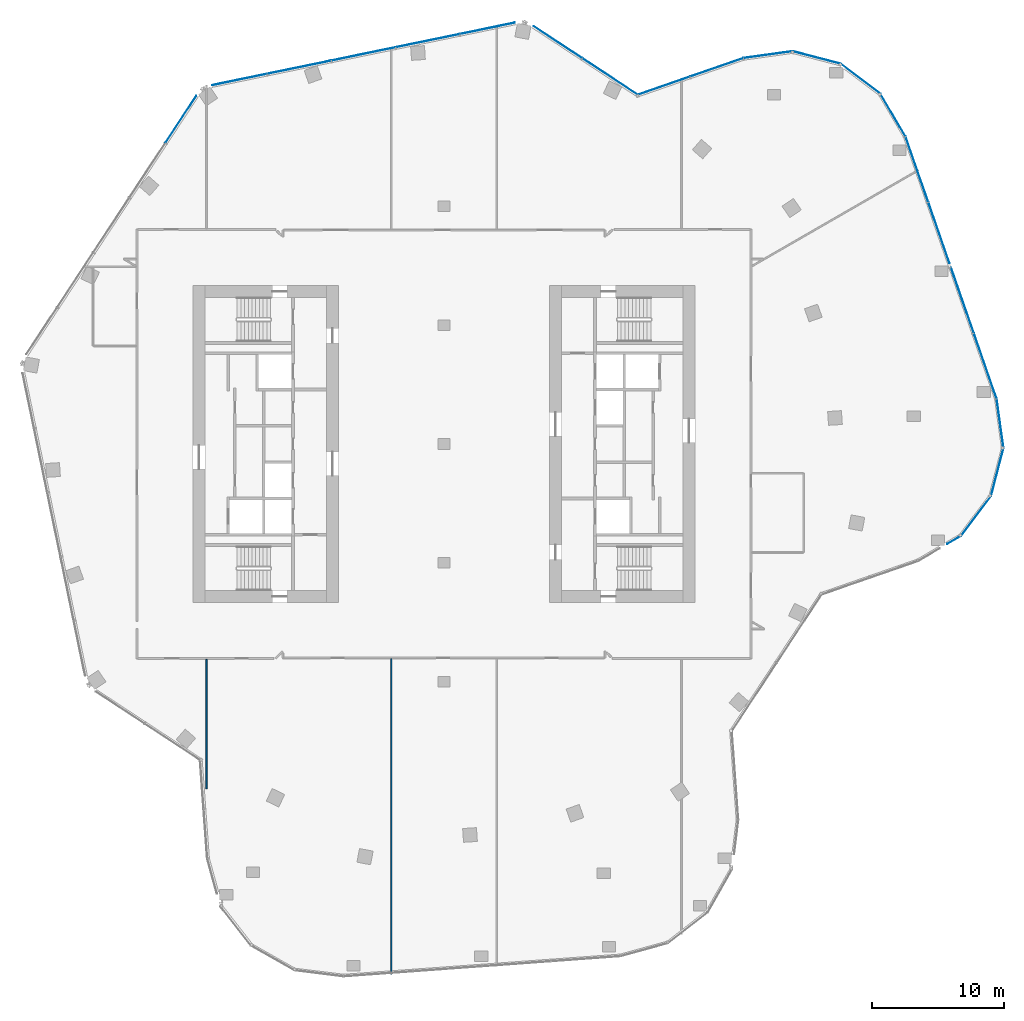
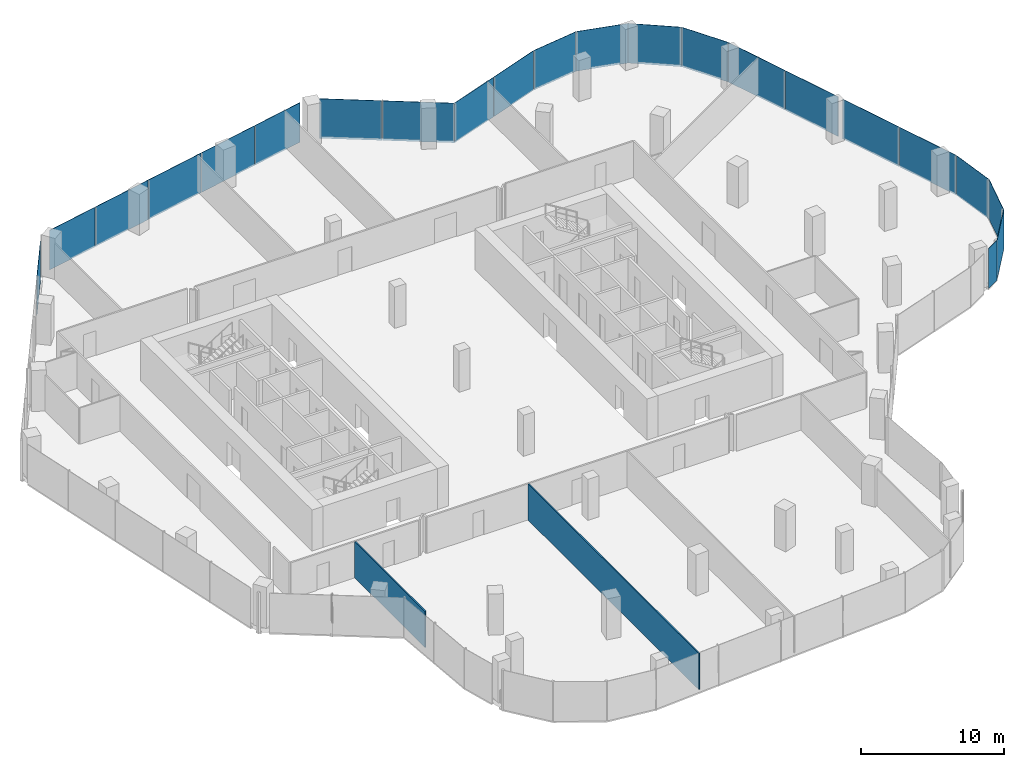
# One storey, part 17 of 24: 22 plates, 2 walls, 13 elements without a shape of their own.
"""IFC4 building model written with IfcOpenShell, lengths in metres."""

from ifc_helpers import new_model, si_unit, direction, frame, frame_2d, origin, origin_2d, place, context, subcontext, project, spatial, rectangle, extrude, material, layer, layer_set, type_object, element, aggregate, save


model = new_model("IFC4")

# Units and contexts
model_context = context("Model", 3, precision=1e-05, world=origin(), true_north=direction((0.0, 1.0)))
body_context = subcontext(model_context, "Body", "Model", "MODEL_VIEW")
ifc_project = project(units=[si_unit("LENGTHUNIT", "METRE"), si_unit("AREAUNIT", "SQUARE_METRE"), si_unit("VOLUMEUNIT", "CUBIC_METRE"), si_unit("PLANEANGLEUNIT", "RADIAN"), si_unit("MASSUNIT", "GRAM", prefix="KILO")], contexts=[model_context])

# Site, building, storey
site_placement = place(None, origin())
site = spatial("IfcSite", under=ifc_project, at=site_placement, CompositionType="ELEMENT")
building_placement = place(site_placement, origin())
building = spatial("IfcBuilding", under=site, at=building_placement, Name="Orlundy Tower", CompositionType="ELEMENT")
storey_placement = place(building_placement, frame((0.0, 0.0, 239.0)))
storey = spatial("IfcBuildingStorey", under=building, at=storey_placement, Name="L63", CompositionType="ELEMENT", Elevation=239.0)

# Curtain wall, plate
ifc_material_1 = material(Name="Aluminium bronze anodised", Category="aluminium")
curtain_wall_type = type_object("IfcCurtainWallType", Name="CW1 wall", PredefinedType="NOTDEFINED", material=ifc_material_1)
curtain_wall_1_placement = place(storey_placement, origin())
curtain_wall_1 = element("IfcCurtainWall", 1, at=curtain_wall_1_placement, inside=storey, type_object=curtain_wall_type, Name="CW1 run 015", PredefinedType="NOTDEFINED")
ifc_material_2 = material(Name="Tinted glass", Category="glass")
ifc_layer_1 = layer(ifc_material_2, 0.031982421875)
ifc_layer_set_1 = layer_set([ifc_layer_1], Name="CW1 glass panel 32")
plate_type = type_object("IfcPlateType", Name="CW1 glass panel 32", PredefinedType="CURTAIN_PANEL", material=ifc_layer_set_1)
plate_1_placement = place(storey_placement, frame((-19.9287109375, 24.592041015625, -0.280029296875), z_axis=(0.0, 0.0, 1.0), x_axis=(0.5495174705, 0.835482225793, 0.0)))
plate_1 = element("IfcPlate", 2, at=plate_1_placement, type_object=plate_type, Name="CW1 panel", PredefinedType="CURTAIN_PANEL", context=body_context, shape_type="SweptSolid", body=[
    extrude(rectangle(XDim=4.229248046875, YDim=0.031982421875, at=origin_2d()), origin(), (0.0, 0.0, 1.0), 3.3798828125),
])
aggregate(curtain_wall_1, [plate_1])

# Curtain wall, plates
curtain_wall_2_placement = place(storey_placement, origin())
curtain_wall_2 = element("IfcCurtainWall", 3, at=curtain_wall_2_placement, inside=storey, type_object=curtain_wall_type, Name="CW1 run 016", PredefinedType="NOTDEFINED")
plate_2_placement = place(storey_placement, frame((-15.496337890625, 27.60009765625, -0.280029296875), z_axis=(0.0, 0.0, 1.0), x_axis=(0.979337428215, 0.202233038095, 0.0)))
plate_2 = element("IfcPlate", 4, at=plate_2_placement, type_object=plate_type, Name="CW1 panel", PredefinedType="CURTAIN_PANEL", context=body_context, shape_type="SweptSolid", body=[
    extrude(rectangle(XDim=4.228271484375, YDim=0.031982421875, at=origin_2d()), origin(), (0.0, 0.0, 1.0), 3.3798828125),
])
plate_3_placement = place(storey_placement, frame((-10.967529296875, 28.535400390625, -0.280029296875), z_axis=(0.0, 0.0, 1.0), x_axis=(0.979337428215, 0.202233038095, 0.0)))
plate_3 = element("IfcPlate", 5, at=plate_3_placement, type_object=plate_type, Name="CW1 panel", PredefinedType="CURTAIN_PANEL", context=body_context, shape_type="SweptSolid", body=[
    extrude(rectangle(XDim=4.92041015625, YDim=0.031982421875, at=origin_2d()), origin(), (0.0, 0.0, 1.0), 3.3798828125),
])
plate_4_placement = place(storey_placement, frame((-6.099609375, 29.54052734375, -0.280029296875), z_axis=(0.0, 0.0, 1.0), x_axis=(0.979337428215, 0.202233038095, 0.0)))
plate_4 = element("IfcPlate", 6, at=plate_4_placement, type_object=plate_type, Name="CW1 panel", PredefinedType="CURTAIN_PANEL", context=body_context, shape_type="SweptSolid", body=[
    extrude(rectangle(XDim=4.92041015625, YDim=0.031982421875, at=origin_2d()), origin(), (0.0, 0.0, 1.0), 3.3798828125),
])
plate_5_placement = place(storey_placement, frame((-1.23193359375, 30.5458984375, -0.280029296875), z_axis=(0.0, 0.0, 1.0), x_axis=(0.979337428215, 0.202233038095, 0.0)))
plate_5 = element("IfcPlate", 7, at=plate_5_placement, type_object=plate_type, Name="CW1 panel", PredefinedType="CURTAIN_PANEL", context=body_context, shape_type="SweptSolid", body=[
    extrude(rectangle(XDim=4.92041015625, YDim=0.031982421875, at=origin_2d()), origin(), (0.0, 0.0, 1.0), 3.3798828125),
])
plate_6_placement = place(storey_placement, frame((3.297119140625, 31.48095703125, -0.280029296875), z_axis=(0.0, 0.0, 1.0), x_axis=(0.979337428215, 0.202233038095, 0.0)))
plate_6 = element("IfcPlate", 8, at=plate_6_placement, type_object=plate_type, Name="CW1 panel", PredefinedType="CURTAIN_PANEL", context=body_context, shape_type="SweptSolid", body=[
    extrude(rectangle(XDim=4.228759765625, YDim=0.031982421875, at=origin_2d()), origin(), (0.0, 0.0, 1.0), 3.3798828125),
])
aggregate(curtain_wall_2, [plate_2, plate_3, plate_4, plate_5, plate_6])

curtain_wall_3_placement = place(storey_placement, origin())
curtain_wall_3 = element("IfcCurtainWall", 9, at=curtain_wall_3_placement, inside=storey, type_object=curtain_wall_type, Name="CW1 run 017", PredefinedType="NOTDEFINED")
plate_7_placement = place(storey_placement, frame((8.620361328125, 30.43359375, -0.280029296875), z_axis=(0.0, 0.0, 1.0), x_axis=(0.835505597573, -0.549481934574, 0.0)))
plate_7 = element("IfcPlate", 10, at=plate_7_placement, type_object=plate_type, Name="CW1 panel", PredefinedType="CURTAIN_PANEL", context=body_context, shape_type="SweptSolid", body=[
    extrude(rectangle(XDim=4.37646484375, YDim=0.031982421875, at=origin_2d()), origin(), (0.0, 0.0, 1.0), 3.3798828125),
])
plate_8_placement = place(storey_placement, frame((12.58447265625, 27.82666015625, -0.280029296875), z_axis=(0.0, 0.0, 1.0), x_axis=(0.835505597573, -0.549481934574, 0.0)))
plate_8 = element("IfcPlate", 11, at=plate_8_placement, type_object=plate_type, Name="CW1 panel", PredefinedType="CURTAIN_PANEL", context=body_context, shape_type="SweptSolid", body=[
    extrude(rectangle(XDim=5.0126953125, YDim=0.031982421875, at=origin_2d()), origin(), (0.0, 0.0, 1.0), 3.3798828125),
])
aggregate(curtain_wall_3, [plate_7, plate_8])

curtain_wall_4_placement = place(storey_placement, origin())
curtain_wall_4 = element("IfcCurtainWall", 12, at=curtain_wall_4_placement, inside=storey, type_object=curtain_wall_type, Name="CW1 run 018", PredefinedType="NOTDEFINED")
plate_9_placement = place(storey_placement, frame((16.643310546875, 27.13232421875, -0.280029296875), z_axis=(0.0, 0.0, 1.0), x_axis=(0.94457424985, 0.328297862498, 0.0)))
plate_9 = element("IfcPlate", 13, at=plate_9_placement, type_object=plate_type, Name="CW1 panel", PredefinedType="CURTAIN_PANEL", context=body_context, shape_type="SweptSolid", body=[
    extrude(rectangle(XDim=4.16015625, YDim=0.031982421875, at=origin_2d()), origin(), (0.0, 0.0, 1.0), 3.3798828125),
])
plate_10_placement = place(storey_placement, frame((20.654052734375, 28.5263671875, -0.280029296875), z_axis=(0.0, 0.0, 1.0), x_axis=(0.94457424985, 0.328297862498, 0.0)))
plate_10 = element("IfcPlate", 14, at=plate_10_placement, type_object=plate_type, Name="CW1 panel", PredefinedType="CURTAIN_PANEL", context=body_context, shape_type="SweptSolid", body=[
    extrude(rectangle(XDim=4.23193359375, YDim=0.031982421875, at=origin_2d()), origin(), (0.0, 0.0, 1.0), 3.3798828125),
])
aggregate(curtain_wall_4, [plate_9, plate_10])

# Curtain wall, plate
curtain_wall_5_placement = place(storey_placement, origin())
curtain_wall_5 = element("IfcCurtainWall", 15, at=curtain_wall_5_placement, inside=storey, type_object=curtain_wall_type, Name="CW1 run 019", PredefinedType="NOTDEFINED")
plate_11_placement = place(storey_placement, frame((24.549072265625, 29.48974609375, -0.280029296875), z_axis=(0.0, 0.0, 1.0), x_axis=(0.99045548405, 0.137832993566, 0.0)))
plate_11 = element("IfcPlate", 16, at=plate_11_placement, type_object=plate_type, Name="CW1 panel", PredefinedType="CURTAIN_PANEL", context=body_context, shape_type="SweptSolid", body=[
    extrude(rectangle(XDim=3.73095703125, YDim=0.031982421875, at=origin_2d()), origin(), (0.0, 0.0, 1.0), 3.3798828125),
])
aggregate(curtain_wall_5, [plate_11])

curtain_wall_6_placement = place(storey_placement, origin())
curtain_wall_6 = element("IfcCurtainWall", 17, at=curtain_wall_6_placement, inside=storey, type_object=curtain_wall_type, Name="CW1 run 020", PredefinedType="NOTDEFINED")
plate_12_placement = place(storey_placement, frame((28.221923828125, 29.271728515625, -0.280029296875), z_axis=(0.0, 0.0, 1.0), x_axis=(0.967731773149, -0.251982569313, 0.0)))
plate_12 = element("IfcPlate", 18, at=plate_12_placement, type_object=plate_type, Name="CW1 panel", PredefinedType="CURTAIN_PANEL", context=body_context, shape_type="SweptSolid", body=[
    extrude(rectangle(XDim=3.77197265625, YDim=0.031982421875, at=origin_2d()), origin(), (0.0, 0.0, 1.0), 3.3798828125),
])
aggregate(curtain_wall_6, [plate_12])

curtain_wall_7_placement = place(storey_placement, origin())
curtain_wall_7 = element("IfcCurtainWall", 19, at=curtain_wall_7_placement, inside=storey, type_object=curtain_wall_type, Name="CW1 run 021", PredefinedType="NOTDEFINED")
plate_13_placement = place(storey_placement, frame((31.55126953125, 27.659423828125, -0.280029296875), z_axis=(0.0, 0.0, 1.0), x_axis=(0.797760617853, -0.602974291826, 0.0)))
plate_13 = element("IfcPlate", 20, at=plate_13_placement, type_object=plate_type, Name="CW1 panel", PredefinedType="CURTAIN_PANEL", context=body_context, shape_type="SweptSolid", body=[
    extrude(rectangle(XDim=3.771728515625, YDim=0.031982421875, at=origin_2d()), origin(), (0.0, 0.0, 1.0), 3.3798828125),
])
aggregate(curtain_wall_7, [plate_13])

curtain_wall_8_placement = place(storey_placement, origin())
curtain_wall_8 = element("IfcCurtainWall", 21, at=curtain_wall_8_placement, inside=storey, type_object=curtain_wall_type, Name="CW1 run 022", PredefinedType="NOTDEFINED")
plate_14_placement = place(storey_placement, frame((34.00048828125, 24.9140625, -0.280029296875), z_axis=(0.0, 0.0, 1.0), x_axis=(0.506418670322, -0.862287730604, 0.0)))
plate_14 = element("IfcPlate", 22, at=plate_14_placement, type_object=plate_type, Name="CW1 panel", PredefinedType="CURTAIN_PANEL", context=body_context, shape_type="SweptSolid", body=[
    extrude(rectangle(XDim=3.72998046875, YDim=0.031982421875, at=origin_2d()), origin(), (0.0, 0.0, 1.0), 3.3798828125),
])
aggregate(curtain_wall_8, [plate_14])

# Curtain wall, plates
curtain_wall_9_placement = place(storey_placement, origin())
curtain_wall_9 = element("IfcCurtainWall", 23, at=curtain_wall_9_placement, inside=storey, type_object=curtain_wall_type, Name="CW1 run 023", PredefinedType="NOTDEFINED")
plate_15_placement = place(storey_placement, frame((35.822021484375, 20.796875, -0.280029296875), z_axis=(0.0, 0.0, 1.0), x_axis=(0.328287898416, -0.944577712924, 0.0)))
plate_15 = element("IfcPlate", 24, at=plate_15_placement, type_object=plate_type, Name="CW1 panel", PredefinedType="CURTAIN_PANEL", context=body_context, shape_type="SweptSolid", body=[
    extrude(rectangle(XDim=5.216064453125, YDim=0.031982421875, at=origin_2d()), origin(), (0.0, 0.0, 1.0), 3.3798828125),
])
plate_16_placement = place(storey_placement, frame((37.49169921875, 15.9931640625, -0.280029296875), z_axis=(0.0, 0.0, 1.0), x_axis=(0.328287898416, -0.944577712924, 0.0)))
plate_16 = element("IfcPlate", 25, at=plate_16_placement, type_object=plate_type, Name="CW1 panel", PredefinedType="CURTAIN_PANEL", context=body_context, shape_type="SweptSolid", body=[
    extrude(rectangle(XDim=4.855224609375, YDim=0.031982421875, at=origin_2d()), origin(), (0.0, 0.0, 1.0), 3.3798828125),
])
plate_17_placement = place(storey_placement, frame((39.271728515625, 10.871337890625, -0.280029296875), z_axis=(0.0, 0.0, 1.0), x_axis=(0.328287898416, -0.944577712924, 0.0)))
plate_17 = element("IfcPlate", 26, at=plate_17_placement, type_object=plate_type, Name="CW1 panel", PredefinedType="CURTAIN_PANEL", context=body_context, shape_type="SweptSolid", body=[
    extrude(rectangle(XDim=5.199951171875, YDim=0.031982421875, at=origin_2d()), origin(), (0.0, 0.0, 1.0), 3.3798828125),
])
plate_18_placement = place(storey_placement, frame((40.997802734375, 5.90478515625, -0.280029296875), z_axis=(0.0, 0.0, 1.0), x_axis=(0.328287898416, -0.944577712924, 0.0)))
plate_18 = element("IfcPlate", 27, at=plate_18_placement, type_object=plate_type, Name="CW1 panel", PredefinedType="CURTAIN_PANEL", context=body_context, shape_type="SweptSolid", body=[
    extrude(rectangle(XDim=5.216064453125, YDim=0.031982421875, at=origin_2d()), origin(), (0.0, 0.0, 1.0), 3.3798828125),
])
aggregate(curtain_wall_9, [plate_15, plate_16, plate_17, plate_18])

# Curtain wall, plate
curtain_wall_10_placement = place(storey_placement, origin())
curtain_wall_10 = element("IfcCurtainWall", 28, at=curtain_wall_10_placement, inside=storey, type_object=curtain_wall_type, Name="CW1 run 024", PredefinedType="NOTDEFINED")
plate_19_placement = place(storey_placement, frame((42.122802734375, 1.544921875, -0.280029296875), z_axis=(0.0, 0.0, 1.0), x_axis=(0.137832993566, -0.99045548405, 0.0)))
plate_19 = element("IfcPlate", 29, at=plate_19_placement, type_object=plate_type, Name="CW1 panel", PredefinedType="CURTAIN_PANEL", context=body_context, shape_type="SweptSolid", body=[
    extrude(rectangle(XDim=3.73095703125, YDim=0.031982421875, at=origin_2d()), origin(), (0.0, 0.0, 1.0), 3.3798828125),
])
aggregate(curtain_wall_10, [plate_19])

curtain_wall_11_placement = place(storey_placement, origin())
curtain_wall_11 = element("IfcCurtainWall", 30, at=curtain_wall_11_placement, inside=storey, type_object=curtain_wall_type, Name="CW1 run 025", PredefinedType="NOTDEFINED")
plate_20_placement = place(storey_placement, frame((41.9052734375, -2.127685546875, -0.280029296875), z_axis=(0.0, 0.0, 1.0), x_axis=(-0.251729885218, -0.967797533004, 0.0)))
plate_20 = element("IfcPlate", 31, at=plate_20_placement, type_object=plate_type, Name="CW1 panel", PredefinedType="CURTAIN_PANEL", context=body_context, shape_type="SweptSolid", body=[
    extrude(rectangle(XDim=3.771728515625, YDim=0.031982421875, at=origin_2d()), origin(), (0.0, 0.0, 1.0), 3.3798828125),
])
aggregate(curtain_wall_11, [plate_20])

curtain_wall_12_placement = place(storey_placement, origin())
curtain_wall_12 = element("IfcCurtainWall", 32, at=curtain_wall_12_placement, inside=storey, type_object=curtain_wall_type, Name="CW1 run 026", PredefinedType="NOTDEFINED")
plate_21_placement = place(storey_placement, frame((40.292724609375, -5.457275390625, -0.280029296875), z_axis=(0.0, 0.0, 1.0), x_axis=(-0.603145948405, -0.797630845017, 0.0)))
plate_21 = element("IfcPlate", 33, at=plate_21_placement, type_object=plate_type, Name="CW1 panel", PredefinedType="CURTAIN_PANEL", context=body_context, shape_type="SweptSolid", body=[
    extrude(rectangle(XDim=3.7724609375, YDim=0.031982421875, at=origin_2d()), origin(), (0.0, 0.0, 1.0), 3.3798828125),
])
aggregate(curtain_wall_12, [plate_21])

curtain_wall_13_placement = place(storey_placement, origin())
curtain_wall_13 = element("IfcCurtainWall", 34, at=curtain_wall_13_placement, inside=storey, type_object=curtain_wall_type, Name="CW1 run 027", PredefinedType="NOTDEFINED")
plate_22_placement = place(storey_placement, frame((38.63916015625, -7.264892578125, -0.280029296875), z_axis=(0.0, 0.0, 1.0), x_axis=(-0.862287730604, -0.506418670322, 0.0)))
plate_22 = element("IfcPlate", 35, at=plate_22_placement, type_object=plate_type, Name="CW1 panel", PredefinedType="CURTAIN_PANEL", context=body_context, shape_type="SweptSolid", body=[
    extrude(rectangle(XDim=1.197021484375, YDim=0.031982421875, at=origin_2d()), origin(), (0.0, 0.0, 1.0), 3.3798828125),
])
aggregate(curtain_wall_13, [plate_22])

# Walls
ifc_material_3 = material(Name="Gypsum board partition")
ifc_layer_2 = layer(ifc_material_3, 0.10009765625)
ifc_layer_set_2 = layer_set([ifc_layer_2], Name="Floor partition 100")
wall_type = type_object("IfcWallType", Name="Floor partition 100", PredefinedType="PARTITIONING", material=ifc_layer_set_2)
wall_1_placement = place(storey_placement, frame((-4.0, -40.14697265625, 0.0), z_axis=(0.0, 0.0, 1.0), x_axis=(0.0, 1.0, 0.0)))
element("IfcWall", 36, at=wall_1_placement, inside=storey, type_object=wall_type, Name="wall-int-L63-031", PredefinedType="PARTITIONING", context=body_context, shape_type="SweptSolid", body=[
    extrude(rectangle(XDim=23.885009765625, YDim=0.10009765625, at=frame_2d((11.9423828125, 0.0))), origin(), (0.0, 0.0, 1.0), 3.080078125),
])
wall_2_placement = place(storey_placement, frame((-18.0, -26.116943359375, 0.0), z_axis=(0.0, 0.0, 1.0), x_axis=(0.0, 1.0, 0.0)))
element("IfcWall", 37, at=wall_2_placement, inside=storey, type_object=wall_type, Name="wall-int-L63-033", PredefinedType="PARTITIONING", context=body_context, shape_type="SweptSolid", body=[
    extrude(rectangle(XDim=9.804931640625, YDim=0.10009765625, at=frame_2d((4.90234375, 0.0))), origin(), (0.0, 0.0, 1.0), 3.080078125),
])

save(model, "model.ifc")
